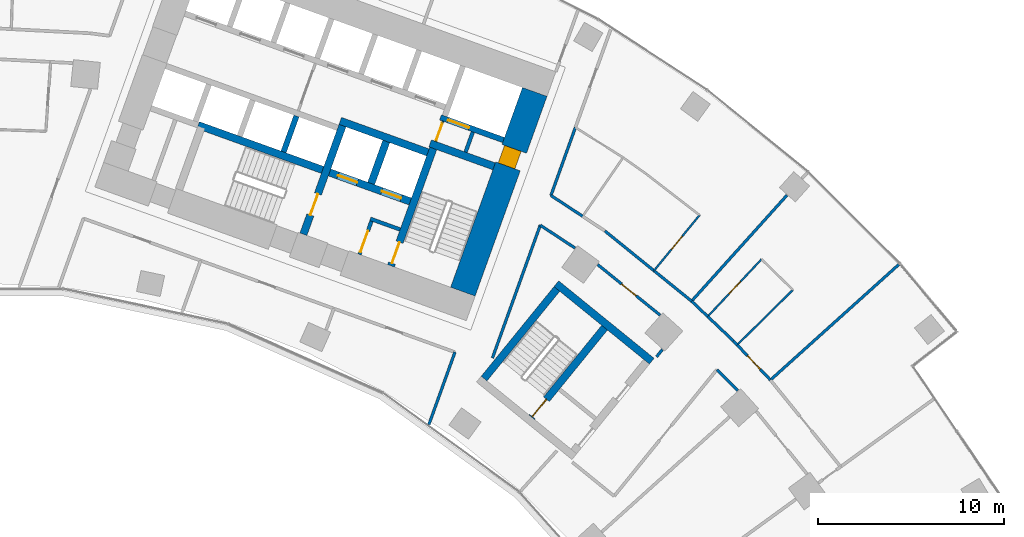
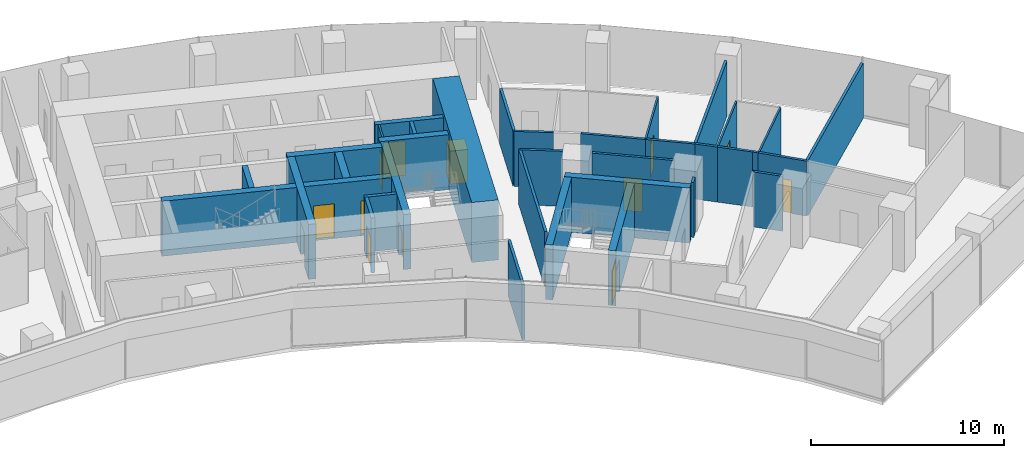
# One storey, part 17 of 21: 35 walls, 13 doors, 13 openings.
"""IFC4 building model written with IfcOpenShell, lengths in metres."""

from ifc_helpers import new_model, si_unit, direction, frame, frame_2d, origin, place, context, subcontext, project, spatial, rectangle, extrude, material, layer, layer_set, type_object, element, fill, save


model = new_model("IFC4")

# Units and contexts
model_context = context("Model", 3, precision=1e-05, world=origin(), true_north=direction((0.0, 1.0)))
body_context = subcontext(model_context, "Body", "Model", "MODEL_VIEW")
ifc_project = project(units=[si_unit("LENGTHUNIT", "METRE"), si_unit("AREAUNIT", "SQUARE_METRE"), si_unit("VOLUMEUNIT", "CUBIC_METRE"), si_unit("PLANEANGLEUNIT", "RADIAN"), si_unit("MASSUNIT", "GRAM", prefix="KILO")], contexts=[model_context])

# Site, building, storey
site_placement = place(None, origin())
site = spatial("IfcSite", under=ifc_project, at=site_placement, CompositionType="ELEMENT")
building_placement = place(site_placement, origin())
building = spatial("IfcBuilding", under=site, at=building_placement, Name="Stone Belt Terrace Tower", CompositionType="ELEMENT")
storey_placement = place(building_placement, frame((0.0, 0.0, 113.60009765625)))
storey = spatial("IfcBuildingStorey", under=building, at=storey_placement, Name="L27", CompositionType="ELEMENT", Elevation=113.60009765625)

# Wall, opening, door
ifc_material_1 = material(Name="Plasterboard partition")
ifc_layer_1 = layer(ifc_material_1, 0.10009765625)
ifc_layer_set_1 = layer_set([ifc_layer_1], Name="Core partition 100")
wall_type_1 = type_object("IfcWallType", Name="Core partition 100", PredefinedType="PARTITIONING", material=ifc_layer_set_1)
wall_1_placement = place(storey_placement, frame((24.555908203125, 51.10400390625, 0.0), z_axis=(0.0, 0.0, 1.0), x_axis=(0.338621735342, 0.94092258999, 0.0)))
wall_1 = element("IfcWall", 1, at=wall_1_placement, inside=storey, type_object=wall_type_1, Name="Core B wall", PredefinedType="PARTITIONING", context=body_context, shape_type="SweptSolid", body=[
    extrude(rectangle(XDim=1.14990234375, YDim=0.10009765625, at=frame_2d((0.574951171875, 0.0))), origin(), (0.0, 0.0, 1.0), 3.47998046875),
])
opening_1_placement = place(wall_1_placement, frame((0.050048828125, 0.0, 0.0)))
opening_1 = element("IfcOpeningElement", 2, at=opening_1_placement, cuts=wall_1, Name="Opening L27-C13", PredefinedType="OPENING", context=body_context, shape_type="SweptSolid", body=[
    extrude(rectangle(XDim=1.0, YDim=2.10009765625, at=frame_2d((0.5, 1.050048828125))), frame((0.0, 0.06005859375, 0.0), z_axis=(0.0, -1.0, 0.0), x_axis=(1.0, 0.0, 0.0)), (0.0, 0.0, 1.0), 0.1201171875),
])
ifc_material_2 = material(Name="Timber door leaf", Category="wood")
door_type_1 = type_object("IfcDoorType", Name="Core room door 1000", OperationType="SINGLE_SWING_LEFT", PredefinedType="DOOR", material=ifc_material_2)
door_1_placement = place(opening_1_placement, origin())
door_1 = element("IfcDoor", 3, at=door_1_placement, inside=storey, type_object=door_type_1, Name="Service lift lobby door core B", OperationType="SINGLE_SWING_LEFT", OverallHeight=2.10009765625, OverallWidth=1.0, PredefinedType="DOOR", context=body_context, shape_type="SweptSolid", body=[
    extrude(rectangle(XDim=1.0, YDim=2.10009765625, at=frame_2d((0.5, 1.050048828125))), frame((0.0, 0.02490234375, 0.0), z_axis=(0.0, -1.0, 0.0), x_axis=(1.0, 0.0, 0.0)), (0.0, 0.0, 1.0), 0.050048828125),
])
fill(opening_1, door_1)

ifc_material_3 = material(Name="Concrete B80", Category="concrete")
ifc_layer_2 = layer(ifc_material_3, 1.39990234375)
ifc_layer_set_2 = layer_set([ifc_layer_2], Name="Core wall 1400 B80")
wall_type_2 = type_object("IfcWallType", Name="Core wall 1400 B80", PredefinedType="SHEAR", material=ifc_layer_set_2)
wall_2_placement = place(storey_placement, frame((26.00927734375, 43.03515625, 0.0), z_axis=(0.0, 0.0, 1.0), x_axis=(0.338625431531, 0.940921259788, 0.0)))
wall_2 = element("IfcWall", 4, at=wall_2_placement, inside=storey, type_object=wall_type_2, Name="Core B wall end_b L27", PredefinedType="SHEAR", context=body_context, shape_type="SweptSolid", body=[
    extrude(rectangle(XDim=11.400146484375, YDim=1.39990234375, at=frame_2d((5.7001953125, 0.0))), origin(), (0.0, 0.0, 1.0), 3.7998046875),
])
opening_2_placement = place(wall_2_placement, frame((7.14990234375, 0.0, 0.0)))
opening_2 = element("IfcOpeningElement", 5, at=opening_2_placement, cuts=wall_2, Name="Opening L27-C12", PredefinedType="OPENING", context=body_context, shape_type="SweptSolid", body=[
    extrude(rectangle(XDim=1.0, YDim=2.10009765625, at=frame_2d((0.5, 1.050048828125))), frame((0.0, 0.7099609375, 0.0), z_axis=(0.0, -1.0, 0.0), x_axis=(1.0, 0.0, 0.0)), (0.0, 0.0, 1.0), 1.419921875),
])
door_2_placement = place(opening_2_placement, origin())
door_2 = element("IfcDoor", 6, at=door_2_placement, inside=storey, type_object=door_type_1, Name="Door to Telecommunications riser room core B", OperationType="SINGLE_SWING_RIGHT", OverallHeight=2.10009765625, OverallWidth=1.0, PredefinedType="DOOR", context=body_context, shape_type="SweptSolid", body=[
    extrude(rectangle(XDim=1.0, YDim=2.10009765625, at=frame_2d((0.5, 1.050048828125))), frame((0.0, 0.55517578125, 0.0), z_axis=(0.0, -1.0, 0.0), x_axis=(1.0, 0.0, 0.0)), (0.0, 0.0, 1.0), 0.949951171875),
])
fill(opening_2, door_2)

# Walls
ifc_layer_3 = layer(ifc_material_3, 0.39990234375)
ifc_layer_set_3 = layer_set([ifc_layer_3], Name="Fire-fighting lift shaft wall 400")
wall_type_3 = type_object("IfcWallType", Name="Fire-fighting lift shaft wall 400", PredefinedType="SHEAR", material=ifc_layer_set_3)
wall_3_placement = place(storey_placement, frame((24.130615234375, 50.512939453125, 0.0), z_axis=(0.0, 0.0, 1.0), x_axis=(-0.94091168377, 0.338652038744, 0.0)))
element("IfcWall", 7, at=wall_3_placement, inside=storey, type_object=wall_type_3, Name="Core B wall", PredefinedType="SHEAR", context=body_context, shape_type="SweptSolid", body=[
    extrude(rectangle(XDim=5.000244140625, YDim=0.39990234375, at=frame_2d((2.5, 0.0))), origin(), (0.0, 0.0, 1.0), 3.47998046875),
])
wall_4_placement = place(storey_placement, frame((21.0859375, 48.845458984375, 0.0), z_axis=(0.0, 0.0, 1.0), x_axis=(0.338629416206, 0.940919825745, 0.0)))
element("IfcWall", 8, at=wall_4_placement, inside=storey, type_object=wall_type_3, Name="Core B wall", PredefinedType="SHEAR", context=body_context, shape_type="SweptSolid", body=[
    extrude(rectangle(XDim=2.400146484375, YDim=0.39990234375, at=frame_2d((1.2001953125, 0.0))), origin(), (0.0, 0.0, 1.0), 3.47998046875),
])

# Wall, opening, door
ifc_layer_4 = layer(ifc_material_3, 0.300048828125)
ifc_layer_set_4 = layer_set([ifc_layer_4], Name="Lift shaft wall 300")
wall_type_4 = type_object("IfcWallType", Name="Lift shaft wall 300", PredefinedType="SHEAR", material=ifc_layer_set_4)
wall_5_placement = place(storey_placement, frame((28.195068359375, 51.17578125, 0.0), z_axis=(0.0, 0.0, 1.0), x_axis=(-0.940901243567, 0.338681044427, 0.0)))
wall_5 = element("IfcWall", 9, at=wall_5_placement, inside=storey, type_object=wall_type_4, Name="Core B wall", PredefinedType="SHEAR", context=body_context, shape_type="SweptSolid", body=[
    extrude(rectangle(XDim=3.599853515625, YDim=0.300048828125, at=frame_2d((1.7998046875, 0.0))), origin(), (0.0, 0.0, 1.0), 3.47998046875),
])
opening_3_placement = place(wall_5_placement, frame((1.969970703125, 0.0, 0.0)))
opening_3 = element("IfcOpeningElement", 10, at=opening_3_placement, cuts=wall_5, Name="Opening L27-LD18", PredefinedType="OPENING", context=body_context, shape_type="SweptSolid", body=[
    extrude(rectangle(XDim=1.199951171875, YDim=2.199951171875, at=frame_2d((0.60009765625, 1.10009765625))), frame((0.0, 0.159912109375, 0.0), z_axis=(0.0, -1.0, 0.0), x_axis=(1.0, 0.0, 0.0)), (0.0, 0.0, 1.0), 0.320068359375),
])
ifc_material_4 = material(Name="Stainless steel door leaf", Category="steel")
door_type_2 = type_object("IfcDoorType", Name="Landing door 1200", OperationType="SLIDING_TO_LEFT", PredefinedType="DOOR", material=ifc_material_4)
door_3_placement = place(opening_3_placement, origin())
door_3 = element("IfcDoor", 11, at=door_3_placement, inside=storey, type_object=door_type_2, Name="Landing door SV1 core B", OperationType="SLIDING_TO_LEFT", OverallHeight=2.199951171875, OverallWidth=1.199951171875, PredefinedType="DOOR", context=body_context, shape_type="SweptSolid", body=[
    extrude(rectangle(XDim=1.199951171875, YDim=2.199951171875, at=frame_2d((0.60009765625, 1.10009765625))), frame((0.0, 0.02490234375, 0.0), z_axis=(0.0, -1.0, 0.0), x_axis=(1.0, 0.0, 0.0)), (0.0, 0.0, 1.0), 0.050048828125),
])
fill(opening_3, door_3)

# Wall
wall_6_placement = place(storey_placement, frame((16.38134765625, 50.53857421875, 0.0), z_axis=(0.0, 0.0, 1.0), x_axis=(0.338681515556, 0.940901073982, 0.0)))
element("IfcWall", 12, at=wall_6_placement, inside=storey, type_object=wall_type_4, Name="Core B wall", PredefinedType="SHEAR", context=body_context, shape_type="SweptSolid", body=[
    extrude(rectangle(XDim=2.050048828125, YDim=0.300048828125, at=frame_2d((1.02490234375, 0.0))), origin(), (0.0, 0.0, 1.0), 3.47998046875),
])

# Wall, opening, door
ifc_material_5 = material(Name="Gypsum board partition")
ifc_layer_5 = layer(ifc_material_5, 0.10009765625)
ifc_layer_set_5 = layer_set([ifc_layer_5], Name="PARTITION 100")
wall_type_5 = type_object("IfcWallType", Name="PARTITION 100", PredefinedType="PARTITIONING", material=ifc_layer_set_5)
wall_7_placement = place(storey_placement, frame((36.27099609375, 44.162109375, 0.0), z_axis=(0.0, 0.0, 1.0), x_axis=(0.634542449737, 0.772888012251, 0.0)))
wall_7 = element("IfcWall", 13, at=wall_7_placement, inside=storey, type_object=wall_type_5, Name="L27/wall/i075", PredefinedType="PARTITIONING", context=body_context, shape_type="SweptSolid", body=[
    extrude(rectangle(XDim=3.859375, YDim=0.10009765625, at=frame_2d((1.9296875, 0.0))), origin(), (0.0, 0.0, 1.0), 3.47998046875),
])
opening_4_placement = place(wall_7_placement, frame((1.479736328125, 0.0, 0.0)))
opening_4 = element("IfcOpeningElement", 14, at=opening_4_placement, cuts=wall_7, Name="Opening D-B4-24", PredefinedType="OPENING", context=body_context, shape_type="SweptSolid", body=[
    extrude(rectangle(XDim=0.89990234375, YDim=2.10009765625, at=frame_2d((0.449951171875, 1.050048828125))), frame((0.0, 0.06005859375, 0.0), z_axis=(0.0, -1.0, 0.0), x_axis=(1.0, 0.0, 0.0)), (0.0, 0.0, 1.0), 0.1201171875),
])
door_type_3 = type_object("IfcDoorType", Name="OFFICE DOOR 900 X 2100", OperationType="NOTDEFINED", PredefinedType="DOOR", material=ifc_material_2)
door_4_placement = place(opening_4_placement, origin())
door_4 = element("IfcDoor", 15, at=door_4_placement, inside=storey, type_object=door_type_3, Name="L27/door/i24", OperationType="SINGLE_SWING_RIGHT", OverallHeight=2.10009765625, OverallWidth=0.89990234375, PredefinedType="DOOR", context=body_context, shape_type="SweptSolid", body=[
    extrude(rectangle(XDim=0.89990234375, YDim=2.10009765625, at=frame_2d((0.449951171875, 1.050048828125))), frame((0.0, 0.02490234375, 0.0), z_axis=(0.0, -1.0, 0.0), x_axis=(1.0, 0.0, 0.0)), (0.0, 0.0, 1.0), 0.050048828125),
])
fill(opening_4, door_4)

# Wall
wall_8_placement = place(storey_placement, frame((40.739013671875, 40.177978515625, 0.0), z_axis=(0.0, 0.0, 1.0), x_axis=(0.711968437206, 0.702211467025, 0.0)))
element("IfcWall", 16, at=wall_8_placement, inside=storey, type_object=wall_type_5, Name="L27/wall/i081", PredefinedType="PARTITIONING", context=body_context, shape_type="SweptSolid", body=[
    extrude(rectangle(XDim=4.20361328125, YDim=0.10009765625, at=frame_2d((2.101806640625, 0.0))), origin(), (0.0, 0.0, 1.0), 3.47998046875),
])

# Wall, opening, door
wall_9_placement = place(storey_placement, frame((42.044921875, 44.77587890625, 0.0), z_axis=(0.0, 0.0, 1.0), x_axis=(-0.684585990475, -0.72893211045, 0.0)))
wall_9 = element("IfcWall", 17, at=wall_9_placement, inside=storey, type_object=wall_type_5, Name="L27/wall/i083", PredefinedType="PARTITIONING", context=body_context, shape_type="SweptSolid", body=[
    extrude(rectangle(XDim=4.217041015625, YDim=0.10009765625, at=frame_2d((2.1083984375, 0.0))), origin(), (0.0, 0.0, 1.0), 3.47998046875),
])
opening_5_placement = place(wall_9_placement, frame((1.658447265625, 0.0, 0.0)))
opening_5 = element("IfcOpeningElement", 18, at=opening_5_placement, cuts=wall_9, Name="Opening D-B4-26", PredefinedType="OPENING", context=body_context, shape_type="SweptSolid", body=[
    extrude(rectangle(XDim=0.89990234375, YDim=2.10009765625, at=frame_2d((0.449951171875, 1.050048828125))), frame((0.0, 0.06005859375, 0.0), z_axis=(0.0, -1.0, 0.0), x_axis=(1.0, 0.0, 0.0)), (0.0, 0.0, 1.0), 0.1201171875),
])
door_5_placement = place(opening_5_placement, origin())
door_5 = element("IfcDoor", 19, at=door_5_placement, inside=storey, type_object=door_type_3, Name="L27/door/i26", OperationType="SINGLE_SWING_RIGHT", OverallHeight=2.10009765625, OverallWidth=0.89990234375, PredefinedType="DOOR", context=body_context, shape_type="SweptSolid", body=[
    extrude(rectangle(XDim=0.89990234375, YDim=2.10009765625, at=frame_2d((0.449951171875, 1.050048828125))), frame((0.0, 0.02490234375, 0.0), z_axis=(0.0, -1.0, 0.0), x_axis=(1.0, 0.0, 0.0)), (0.0, 0.0, 1.0), 0.050048828125),
])
fill(opening_5, door_5)

# Walls
ifc_layer_6 = layer(ifc_material_5, 0.14990234375)
ifc_layer_set_6 = layer_set([ifc_layer_6], Name="PARTITION 150 EI 60")
wall_type_6 = type_object("IfcWallType", Name="PARTITION 150 EI 60", PredefinedType="PARTITIONING", material=ifc_layer_set_6)
wall_10_placement = place(storey_placement, frame((24.18603515625, 35.902099609375, 0.0), z_axis=(0.0, 0.0, 1.0), x_axis=(0.338545933013, 0.940949866486, 0.0)))
element("IfcWall", 20, at=wall_10_placement, inside=storey, type_object=wall_type_6, Name="L27/wall/i025", PredefinedType="PARTITIONING", context=body_context, shape_type="SweptSolid", body=[
    extrude(rectangle(XDim=4.135009765625, YDim=0.14990234375, at=frame_2d((2.0673828125, 0.0))), origin(), (0.0, 0.0, 1.0), 3.47998046875),
])
wall_11_placement = place(storey_placement, frame((30.1669921875, 46.612060546875, 0.0), z_axis=(0.0, 0.0, 1.0), x_axis=(-0.338694393991, -0.940896438233, 0.0)))
element("IfcWall", 21, at=wall_11_placement, inside=storey, type_object=wall_type_6, Name="L27/wall/i027", PredefinedType="PARTITIONING", context=body_context, shape_type="SweptSolid", body=[
    extrude(rectangle(XDim=7.585205078125, YDim=0.14990234375, at=frame_2d((3.79248046875, 0.0))), origin(), (0.0, 0.0, 1.0), 3.47998046875),
])
wall_12_placement = place(storey_placement, frame((32.054931640625, 51.860107421875, 0.0), z_axis=(0.0, 0.0, 1.0), x_axis=(-0.33852847769, -0.940956146583, 0.0)))
element("IfcWall", 22, at=wall_12_placement, inside=storey, type_object=wall_type_6, Name="L27/wall/i030", PredefinedType="PARTITIONING", context=body_context, shape_type="SweptSolid", body=[
    extrude(rectangle(XDim=3.892822265625, YDim=0.14990234375, at=frame_2d((1.9462890625, 0.0))), origin(), (0.0, 0.0, 1.0), 3.47998046875),
])

# Wall, opening, door
wall_13_placement = place(storey_placement, frame((36.599365234375, 41.77587890625, 0.0), z_axis=(0.0, 0.0, 1.0), x_axis=(-0.777153738144, 0.62931078752, 0.0)))
wall_13 = element("IfcWall", 23, at=wall_13_placement, inside=storey, type_object=wall_type_6, Name="L27/wall/i057", PredefinedType="PARTITIONING", context=body_context, shape_type="SweptSolid", body=[
    extrude(rectangle(XDim=4.30517578125, YDim=0.14990234375, at=frame_2d((2.152587890625, 0.0))), origin(), (0.0, 0.0, 1.0), 3.47998046875),
])
opening_6_placement = place(wall_13_placement, frame((1.652587890625, 0.0, 0.0)))
opening_6 = element("IfcOpeningElement", 24, at=opening_6_placement, cuts=wall_13, Name="Opening D-B4-19", PredefinedType="OPENING", context=body_context, shape_type="SweptSolid", body=[
    extrude(rectangle(XDim=1.0, YDim=2.10009765625, at=frame_2d((0.5, 1.050048828125))), frame((0.0, 0.0849609375, 0.0), z_axis=(0.0, -1.0, 0.0), x_axis=(1.0, 0.0, 0.0)), (0.0, 0.0, 1.0), 0.169921875),
])
ifc_material_6 = material(Name="Timber fire door leaf", Category="wood")
door_type_4 = type_object("IfcDoorType", Name="TENANCY ENTRANCE DOOR 1000 X 2100", OperationType="NOTDEFINED", PredefinedType="DOOR", material=ifc_material_6)
door_6_placement = place(opening_6_placement, origin())
door_6 = element("IfcDoor", 25, at=door_6_placement, inside=storey, type_object=door_type_4, Name="L27/door/i19", OperationType="SINGLE_SWING_RIGHT", OverallHeight=2.10009765625, OverallWidth=1.0, PredefinedType="DOOR", context=body_context, shape_type="SweptSolid", body=[
    extrude(rectangle(XDim=1.0, YDim=2.10009765625, at=frame_2d((0.5, 1.050048828125))), frame((0.0, 0.02490234375, 0.0), z_axis=(0.0, -1.0, 0.0), x_axis=(1.0, 0.0, 0.0)), (0.0, 0.0, 1.0), 0.050048828125),
])
fill(opening_6, door_6)

# Walls
wall_14_placement = place(storey_placement, frame((32.03466796875, 45.37646484375, 0.0), z_axis=(0.0, 0.0, 1.0), x_axis=(-0.835456606052, 0.549556420583, 0.0)))
element("IfcWall", 26, at=wall_14_placement, inside=storey, type_object=wall_type_6, Name="L27/wall/i058", PredefinedType="PARTITIONING", context=body_context, shape_type="SweptSolid", body=[
    extrude(rectangle(XDim=2.239013671875, YDim=0.14990234375, at=frame_2d((1.11962890625, 0.0))), origin(), (0.0, 0.0, 1.0), 3.47998046875),
])
wall_15_placement = place(storey_placement, frame((36.26611328125, 44.166015625, 0.0), z_axis=(0.0, 0.0, 1.0), x_axis=(0.777070293826, -0.629413821307, 0.0)))
element("IfcWall", 27, at=wall_15_placement, inside=storey, type_object=wall_type_6, Name="L27/wall/i059", PredefinedType="PARTITIONING", context=body_context, shape_type="SweptSolid", body=[
    extrude(rectangle(XDim=2.605712890625, YDim=0.14990234375, at=frame_2d((1.302734375, 0.0))), origin(), (0.0, 0.0, 1.0), 3.47998046875),
])
wall_16_placement = place(storey_placement, frame((30.739013671875, 48.202880859375, 0.0), z_axis=(0.0, 0.0, 1.0), x_axis=(0.835471942852, -0.549533104287, 0.0)))
element("IfcWall", 28, at=wall_16_placement, inside=storey, type_object=wall_type_6, Name="L27/wall/i060", PredefinedType="PARTITIONING", context=body_context, shape_type="SweptSolid", body=[
    extrude(rectangle(XDim=2.043212890625, YDim=0.14990234375, at=frame_2d((1.021484375, 0.0))), origin(), (0.0, 0.0, 1.0), 3.47998046875),
])
wall_17_placement = place(storey_placement, frame((33.635986328125, 46.2958984375, 0.0), z_axis=(0.0, 0.0, 1.0), x_axis=(0.777003753109, -0.629495963176, 0.0)))
element("IfcWall", 29, at=wall_17_placement, inside=storey, type_object=wall_type_6, Name="L27/wall/i062", PredefinedType="PARTITIONING", context=body_context, shape_type="SweptSolid", body=[
    extrude(rectangle(XDim=3.396240234375, YDim=0.14990234375, at=frame_2d((1.6982421875, 0.0))), origin(), (0.0, 0.0, 1.0), 3.47998046875),
])
wall_18_placement = place(storey_placement, frame((38.291015625, 42.52587890625, 0.0), z_axis=(0.0, 0.0, 1.0), x_axis=(0.724857396482, -0.688898943798, 0.0)))
element("IfcWall", 30, at=wall_18_placement, inside=storey, type_object=wall_type_6, Name="L27/wall/i063", PredefinedType="PARTITIONING", context=body_context, shape_type="SweptSolid", body=[
    extrude(rectangle(XDim=1.20166015625, YDim=0.14990234375, at=frame_2d((0.600830078125, 0.0))), origin(), (0.0, 0.0, 1.0), 3.47998046875),
])
wall_19_placement = place(storey_placement, frame((39.154052734375, 41.7060546875, 0.0), z_axis=(0.0, 0.0, 1.0), x_axis=(0.724717453014, -0.689046161949, 0.0)))
element("IfcWall", 31, at=wall_19_placement, inside=storey, type_object=wall_type_6, Name="L27/wall/i064", PredefinedType="PARTITIONING", context=body_context, shape_type="SweptSolid", body=[
    extrude(rectangle(XDim=1.902587890625, YDim=0.14990234375, at=frame_2d((0.951171875, 0.0))), origin(), (0.0, 0.0, 1.0), 3.47998046875),
])
wall_20_placement = place(storey_placement, frame((40.765625, 37.721435546875, 0.0), z_axis=(0.0, 0.0, 1.0), x_axis=(-0.707106781187, 0.707106781187, 0.0)))
element("IfcWall", 32, at=wall_20_placement, inside=storey, type_object=wall_type_6, Name="L27/wall/i065", PredefinedType="PARTITIONING", context=body_context, shape_type="SweptSolid", body=[
    extrude(rectangle(XDim=1.587646484375, YDim=0.14990234375, at=frame_2d((0.7939453125, 0.0))), origin(), (0.0, 0.0, 1.0), 3.47998046875),
])

# Wall, opening, door
wall_21_placement = place(storey_placement, frame((40.735107421875, 40.181884765625, 0.0), z_axis=(0.0, 0.0, 1.0), x_axis=(0.687627627424, -0.726063527526, 0.0)))
wall_21 = element("IfcWall", 33, at=wall_21_placement, inside=storey, type_object=wall_type_6, Name="L27/wall/i067", PredefinedType="PARTITIONING", context=body_context, shape_type="SweptSolid", body=[
    extrude(rectangle(XDim=2.604248046875, YDim=0.14990234375, at=frame_2d((1.30224609375, 0.0))), origin(), (0.0, 0.0, 1.0), 3.47998046875),
])
opening_7_placement = place(wall_21_placement, frame((0.80224609375, 0.0, 0.0)))
opening_7 = element("IfcOpeningElement", 34, at=opening_7_placement, cuts=wall_21, Name="Opening D-B4-25", PredefinedType="OPENING", context=body_context, shape_type="SweptSolid", body=[
    extrude(rectangle(XDim=1.0, YDim=2.10009765625, at=frame_2d((0.5, 1.050048828125))), frame((0.0, 0.0849609375, 0.0), z_axis=(0.0, -1.0, 0.0), x_axis=(1.0, 0.0, 0.0)), (0.0, 0.0, 1.0), 0.169921875),
])
door_7_placement = place(opening_7_placement, origin())
door_7 = element("IfcDoor", 35, at=door_7_placement, inside=storey, type_object=door_type_4, Name="L27/door/i25", OperationType="SINGLE_SWING_RIGHT", OverallHeight=2.10009765625, OverallWidth=1.0, PredefinedType="DOOR", context=body_context, shape_type="SweptSolid", body=[
    extrude(rectangle(XDim=1.0, YDim=2.10009765625, at=frame_2d((0.5, 1.050048828125))), frame((0.0, 0.02490234375, 0.0), z_axis=(0.0, -1.0, 0.0), x_axis=(1.0, 0.0, 0.0)), (0.0, 0.0, 1.0), 0.050048828125),
])
fill(opening_7, door_7)

# Walls
wall_22_placement = place(storey_placement, frame((40.532958984375, 40.39501953125, 0.0), z_axis=(0.0, 0.0, 1.0), x_axis=(0.68885471009, -0.724899433292, 0.0)))
element("IfcWall", 36, at=wall_22_placement, inside=storey, type_object=wall_type_6, Name="L27/wall/i068", PredefinedType="PARTITIONING", context=body_context, shape_type="SweptSolid", body=[
    extrude(rectangle(XDim=0.3046875, YDim=0.14990234375, at=frame_2d((0.15234375, 0.0))), origin(), (0.0, 0.0, 1.0), 3.47998046875),
])
wall_23_placement = place(storey_placement, frame((36.406005859375, 39.537109375, 0.0), z_axis=(0.0, 0.0, 1.0), x_axis=(0.630355285391, 0.776306778393, 0.0)))
element("IfcWall", 37, at=wall_23_placement, inside=storey, type_object=wall_type_6, Name="L27/wall/i070", PredefinedType="PARTITIONING", context=body_context, shape_type="SweptSolid", body=[
    extrude(rectangle(XDim=0.50341796875, YDim=0.14990234375, at=frame_2d((0.251708984375, 0.0))), origin(), (0.0, 0.0, 1.0), 3.47998046875),
])
wall_24_placement = place(storey_placement, frame((43.41552734375, 48.21826171875, 0.0), z_axis=(0.0, 0.0, 1.0), x_axis=(-0.669063345565, -0.743205381857, 0.0)))
element("IfcWall", 38, at=wall_24_placement, inside=storey, type_object=wall_type_6, Name="L27/wall/i079", PredefinedType="PARTITIONING", context=body_context, shape_type="SweptSolid", body=[
    extrude(rectangle(XDim=7.6591796875, YDim=0.14990234375, at=frame_2d((3.82958984375, 0.0))), origin(), (0.0, 0.0, 1.0), 3.47998046875),
])
wall_25_placement = place(storey_placement, frame((49.41943359375, 44.496826171875, 0.0), z_axis=(0.0, 0.0, 1.0), x_axis=(-0.743207759706, -0.669060704206, 0.0)))
element("IfcWall", 39, at=wall_25_placement, inside=storey, type_object=wall_type_6, Name="L27/wall/i084", PredefinedType="PARTITIONING", context=body_context, shape_type="SweptSolid", body=[
    extrude(rectangle(XDim=9.275390625, YDim=0.14990234375, at=frame_2d((4.6376953125, 0.0))), origin(), (0.0, 0.0, 1.0), 3.47998046875),
])
ifc_material_7 = material(Name="Concrete masonry block", Category="masonry")
ifc_layer_7 = layer(ifc_material_7, 0.199951171875)
ifc_layer_set_7 = layer_set([ifc_layer_7], Name="Rated lobby wall 200")
wall_type_7 = type_object("IfcWallType", Name="Rated lobby wall 200", PredefinedType="PARTITIONING", material=ifc_layer_set_7)
wall_26_placement = place(storey_placement, frame((26.1552734375, 50.5283203125, 0.0), z_axis=(0.0, 0.0, 1.0), x_axis=(0.338621735342, 0.94092258999, 0.0)))
element("IfcWall", 40, at=wall_26_placement, inside=storey, type_object=wall_type_7, Name="Core B wall", PredefinedType="PARTITIONING", context=body_context, shape_type="SweptSolid", body=[
    extrude(rectangle(XDim=1.14990234375, YDim=0.199951171875, at=frame_2d((0.574951171875, 0.0))), origin(), (0.0, 0.0, 1.0), 3.47998046875),
])
wall_27_placement = place(storey_placement, frame((22.640625, 46.373046875, 0.0), z_axis=(0.0, 0.0, 1.0), x_axis=(-0.940966110313, 0.338500781747, 0.0)))
element("IfcWall", 41, at=wall_27_placement, inside=storey, type_object=wall_type_7, Name="Core B wall", PredefinedType="PARTITIONING", context=body_context, shape_type="SweptSolid", body=[
    extrude(rectangle(XDim=1.699951171875, YDim=0.199951171875, at=frame_2d((0.85009765625, 0.0))), origin(), (0.0, 0.0, 1.0), 3.47998046875),
])

# Wall, opening, door
wall_28_placement = place(storey_placement, frame((20.4580078125, 45.032958984375, 0.0), z_axis=(0.0, 0.0, 1.0), x_axis=(0.338573865316, 0.940939816208, 0.0)))
wall_28 = element("IfcWall", 42, at=wall_28_placement, inside=storey, type_object=wall_type_7, Name="Core B wall", PredefinedType="PARTITIONING", context=body_context, shape_type="SweptSolid", body=[
    extrude(rectangle(XDim=1.900146484375, YDim=0.199951171875, at=frame_2d((0.9501953125, 0.0))), origin(), (0.0, 0.0, 1.0), 3.47998046875),
])
opening_8_placement = place(wall_28_placement, frame((0.14990234375, 0.0, 0.0)))
opening_8 = element("IfcOpeningElement", 43, at=opening_8_placement, cuts=wall_28, Name="Opening L27-C17", PredefinedType="OPENING", context=body_context, shape_type="SweptSolid", body=[
    extrude(rectangle(XDim=1.199951171875, YDim=2.10009765625, at=frame_2d((0.60009765625, 1.050048828125))), frame((0.0, 0.10986328125, 0.0), z_axis=(0.0, -1.0, 0.0), x_axis=(1.0, 0.0, 0.0)), (0.0, 0.0, 1.0), 0.219970703125),
])
ifc_material_8 = material(Name="Steel door leaf", Category="steel")
door_type_5 = type_object("IfcDoorType", Name="Stair door 1200", OperationType="SINGLE_SWING_LEFT", PredefinedType="DOOR", material=ifc_material_8)
door_8_placement = place(opening_8_placement, origin())
door_8 = element("IfcDoor", 44, at=door_8_placement, inside=storey, type_object=door_type_5, Name="Stair airlock door core B", OperationType="SINGLE_SWING_LEFT", OverallHeight=2.10009765625, OverallWidth=1.199951171875, PredefinedType="DOOR", context=body_context, shape_type="SweptSolid", body=[
    extrude(rectangle(XDim=1.199951171875, YDim=2.10009765625, at=frame_2d((0.60009765625, 1.050048828125))), frame((0.0, 0.02490234375, 0.0), z_axis=(0.0, -1.0, 0.0), x_axis=(1.0, 0.0, 0.0)), (0.0, 0.0, 1.0), 0.050048828125),
])
fill(opening_8, door_8)

# Wall
ifc_layer_8 = layer(ifc_material_3, 0.39990234375)
ifc_layer_set_8 = layer_set([ifc_layer_8], Name="Stair enclosure wall 400")
wall_type_8 = type_object("IfcWallType", Name="Stair enclosure wall 400", PredefinedType="SHEAR", material=ifc_layer_set_8)
wall_29_placement = place(storey_placement, frame((27.687255859375, 49.764404296875, 0.0), z_axis=(0.0, 0.0, 1.0), x_axis=(-0.940918954884, 0.338631835981, 0.0)))
element("IfcWall", 45, at=wall_29_placement, inside=storey, type_object=wall_type_8, Name="Core B wall", PredefinedType="SHEAR", context=body_context, shape_type="SweptSolid", body=[
    extrude(rectangle(XDim=3.650146484375, YDim=0.39990234375, at=frame_2d((1.8251953125, 0.0))), origin(), (0.0, 0.0, 1.0), 3.47998046875),
])

# Wall, opening, door
wall_30_placement = place(storey_placement, frame((22.151611328125, 44.42333984375, 0.0), z_axis=(0.0, 0.0, 1.0), x_axis=(0.338625272931, 0.940921316866, 0.0)))
wall_30 = element("IfcWall", 46, at=wall_30_placement, inside=storey, type_object=wall_type_8, Name="Core B wall", PredefinedType="SHEAR", context=body_context, shape_type="SweptSolid", body=[
    extrude(rectangle(XDim=6.699951171875, YDim=0.39990234375, at=frame_2d((3.35009765625, 0.0))), origin(), (0.0, 0.0, 1.0), 3.47998046875),
])
opening_9_placement = place(wall_30_placement, frame((0.14990234375, 0.0, 0.0)))
opening_9 = element("IfcOpeningElement", 47, at=opening_9_placement, cuts=wall_30, Name="Opening L27-C16", PredefinedType="OPENING", context=body_context, shape_type="SweptSolid", body=[
    extrude(rectangle(XDim=1.199951171875, YDim=2.10009765625, at=frame_2d((0.60009765625, 1.050048828125))), frame((0.0, 0.2099609375, 0.0), z_axis=(0.0, -1.0, 0.0), x_axis=(1.0, 0.0, 0.0)), (0.0, 0.0, 1.0), 0.419921875),
])
door_9_placement = place(opening_9_placement, origin())
door_9 = element("IfcDoor", 48, at=door_9_placement, inside=storey, type_object=door_type_5, Name="Stair 1 door core B", OperationType="SINGLE_SWING_LEFT", OverallHeight=2.10009765625, OverallWidth=1.199951171875, PredefinedType="DOOR", context=body_context, shape_type="SweptSolid", body=[
    extrude(rectangle(XDim=1.199951171875, YDim=2.10009765625, at=frame_2d((0.60009765625, 1.050048828125))), frame((0.0, 0.02490234375, 0.0), z_axis=(0.0, -1.0, 0.0), x_axis=(1.0, 0.0, 0.0)), (0.0, 0.0, 1.0), 0.050048828125),
])
fill(opening_9, door_9)

# Wall, openings, doors
wall_31_placement = place(storey_placement, frame((23.182373046875, 47.87841796875, 0.0), z_axis=(0.0, 0.0, 1.0), x_axis=(-0.940921101762, 0.338625870628, 0.0)))
wall_31 = element("IfcWall", 49, at=wall_31_placement, inside=storey, type_object=wall_type_8, Name="Core B wall", PredefinedType="SHEAR", context=body_context, shape_type="SweptSolid", body=[
    extrude(rectangle(XDim=12.10009765625, YDim=0.39990234375, at=frame_2d((6.050048828125, 0.0))), origin(), (0.0, 0.0, 1.0), 3.47998046875),
])
opening_10_placement = place(wall_31_placement, frame((0.52001953125, 0.0, 0.0)))
opening_10 = element("IfcOpeningElement", 50, at=opening_10_placement, cuts=wall_31, Name="Opening L27-LD16", PredefinedType="OPENING", context=body_context, shape_type="SweptSolid", body=[
    extrude(rectangle(XDim=1.10009765625, YDim=2.199951171875, at=frame_2d((0.550048828125, 1.10009765625))), frame((0.0, 0.2099609375, 0.0), z_axis=(0.0, -1.0, 0.0), x_axis=(1.0, 0.0, 0.0)), (0.0, 0.0, 1.0), 0.419921875),
])
opening_11_placement = place(wall_31_placement, frame((3.02001953125, 0.0, 0.0)))
opening_11 = element("IfcOpeningElement", 51, at=opening_11_placement, cuts=wall_31, Name="Opening L27-LD17", PredefinedType="OPENING", context=body_context, shape_type="SweptSolid", body=[
    extrude(rectangle(XDim=1.10009765625, YDim=2.199951171875, at=frame_2d((0.550048828125, 1.10009765625))), frame((0.0, 0.2099609375, 0.0), z_axis=(0.0, -1.0, 0.0), x_axis=(1.0, 0.0, 0.0)), (0.0, 0.0, 1.0), 0.419921875),
])
door_type_6 = type_object("IfcDoorType", Name="Landing door 1100", OperationType="SLIDING_TO_LEFT", PredefinedType="DOOR", material=ifc_material_4)
door_10_placement = place(opening_10_placement, origin())
door_10 = element("IfcDoor", 52, at=door_10_placement, inside=storey, type_object=door_type_6, Name="Landing door FF1 core B", OperationType="SLIDING_TO_LEFT", OverallHeight=2.199951171875, OverallWidth=1.10009765625, PredefinedType="DOOR", context=body_context, shape_type="SweptSolid", body=[
    extrude(rectangle(XDim=1.10009765625, YDim=2.199951171875, at=frame_2d((0.550048828125, 1.10009765625))), frame((0.0, 0.02490234375, 0.0), z_axis=(0.0, -1.0, 0.0), x_axis=(1.0, 0.0, 0.0)), (0.0, 0.0, 1.0), 0.050048828125),
])
fill(opening_10, door_10)
door_11_placement = place(opening_11_placement, origin())
door_11 = element("IfcDoor", 53, at=door_11_placement, inside=storey, type_object=door_type_6, Name="Landing door FF2 core B", OperationType="SLIDING_TO_LEFT", OverallHeight=2.199951171875, OverallWidth=1.10009765625, PredefinedType="DOOR", context=body_context, shape_type="SweptSolid", body=[
    extrude(rectangle(XDim=1.10009765625, YDim=2.199951171875, at=frame_2d((0.550048828125, 1.10009765625))), frame((0.0, 0.02490234375, 0.0), z_axis=(0.0, -1.0, 0.0), x_axis=(1.0, 0.0, 0.0)), (0.0, 0.0, 1.0), 0.050048828125),
])
fill(opening_11, door_11)

# Wall, opening, door
wall_32_placement = place(storey_placement, frame((17.447021484375, 46.116455078125, 0.0), z_axis=(0.0, 0.0, 1.0), x_axis=(0.33860791464, 0.940927563707, 0.0)))
wall_32 = element("IfcWall", 54, at=wall_32_placement, inside=storey, type_object=wall_type_8, Name="Core B wall", PredefinedType="SHEAR", context=body_context, shape_type="SweptSolid", body=[
    extrude(rectangle(XDim=6.199951171875, YDim=0.39990234375, at=frame_2d((3.10009765625, 0.0))), origin(), (0.0, 0.0, 1.0), 3.47998046875),
])
opening_12_placement = place(wall_32_placement, frame((1.10009765625, 0.0, 0.0)))
opening_12 = element("IfcOpeningElement", 55, at=opening_12_placement, cuts=wall_32, Name="Opening L27-C19", PredefinedType="OPENING", context=body_context, shape_type="SweptSolid", body=[
    extrude(rectangle(XDim=1.199951171875, YDim=2.10009765625, at=frame_2d((0.60009765625, 1.050048828125))), frame((0.0, 0.2099609375, 0.0), z_axis=(0.0, -1.0, 0.0), x_axis=(1.0, 0.0, 0.0)), (0.0, 0.0, 1.0), 0.419921875),
])
door_12_placement = place(opening_12_placement, origin())
door_12 = element("IfcDoor", 56, at=door_12_placement, inside=storey, type_object=door_type_5, Name="Stair 2 door core B", OperationType="SINGLE_SWING_LEFT", OverallHeight=2.10009765625, OverallWidth=1.199951171875, PredefinedType="DOOR", context=body_context, shape_type="SweptSolid", body=[
    extrude(rectangle(XDim=1.199951171875, YDim=2.10009765625, at=frame_2d((0.60009765625, 1.050048828125))), frame((0.0, 0.02490234375, 0.0), z_axis=(0.0, -1.0, 0.0), x_axis=(1.0, 0.0, 0.0)), (0.0, 0.0, 1.0), 0.050048828125),
])
fill(opening_12, door_12)

# Walls
wall_33_placement = place(storey_placement, frame((31.02783203125, 43.46337890625, 0.0), z_axis=(0.0, 0.0, 1.0), x_axis=(0.776413760801, -0.630223509589, 0.0)))
element("IfcWall", 57, at=wall_33_placement, inside=storey, type_object=wall_type_8, Name="Exit stair ST3B wall", PredefinedType="SHEAR", context=body_context, shape_type="SweptSolid", body=[
    extrude(rectangle(XDim=6.599853515625, YDim=0.39990234375, at=frame_2d((3.2998046875, 0.0))), origin(), (0.0, 0.0, 1.0), 3.47998046875),
])
wall_34_placement = place(storey_placement, frame((27.149658203125, 38.3681640625, 0.0), z_axis=(0.0, 0.0, 1.0), x_axis=(0.630211551729, 0.776423466973, 0.0)))
element("IfcWall", 58, at=wall_34_placement, inside=storey, type_object=wall_type_8, Name="Exit stair ST3B wall", PredefinedType="SHEAR", context=body_context, shape_type="SweptSolid", body=[
    extrude(rectangle(XDim=6.199951171875, YDim=0.39990234375, at=frame_2d((3.10009765625, 0.0))), origin(), (0.0, 0.0, 1.0), 3.47998046875),
])

# Wall, opening, door
wall_35_placement = place(storey_placement, frame((29.7119140625, 36.288330078125, 0.0), z_axis=(0.0, 0.0, 1.0), x_axis=(0.630192283849, 0.776439106033, 0.0)))
wall_35 = element("IfcWall", 59, at=wall_35_placement, inside=storey, type_object=wall_type_8, Name="Exit stair ST3B wall", PredefinedType="SHEAR", context=body_context, shape_type="SweptSolid", body=[
    extrude(rectangle(XDim=6.199951171875, YDim=0.39990234375, at=frame_2d((3.10009765625, 0.0))), origin(), (0.0, 0.0, 1.0), 3.47998046875),
])
opening_13_placement = place(wall_35_placement, frame((0.050048828125, 0.0, 0.0)))
opening_13 = element("IfcOpeningElement", 60, at=opening_13_placement, cuts=wall_35, Name="Opening L27-C26", PredefinedType="OPENING", context=body_context, shape_type="SweptSolid", body=[
    extrude(rectangle(XDim=1.199951171875, YDim=2.10009765625, at=frame_2d((0.60009765625, 1.050048828125))), frame((0.0, 0.2099609375, 0.0), z_axis=(0.0, -1.0, 0.0), x_axis=(1.0, 0.0, 0.0)), (0.0, 0.0, 1.0), 0.419921875),
])
door_13_placement = place(opening_13_placement, origin())
door_13 = element("IfcDoor", 61, at=door_13_placement, inside=storey, type_object=door_type_5, Name="Stair door ST3B", OperationType="SINGLE_SWING_LEFT", OverallHeight=2.10009765625, OverallWidth=1.199951171875, PredefinedType="DOOR", context=body_context, shape_type="SweptSolid", body=[
    extrude(rectangle(XDim=1.199951171875, YDim=2.10009765625, at=frame_2d((0.60009765625, 1.050048828125))), frame((0.0, 0.02490234375, 0.0), z_axis=(0.0, -1.0, 0.0), x_axis=(1.0, 0.0, 0.0)), (0.0, 0.0, 1.0), 0.050048828125),
])
fill(opening_13, door_13)

save(model, "model.ifc")
